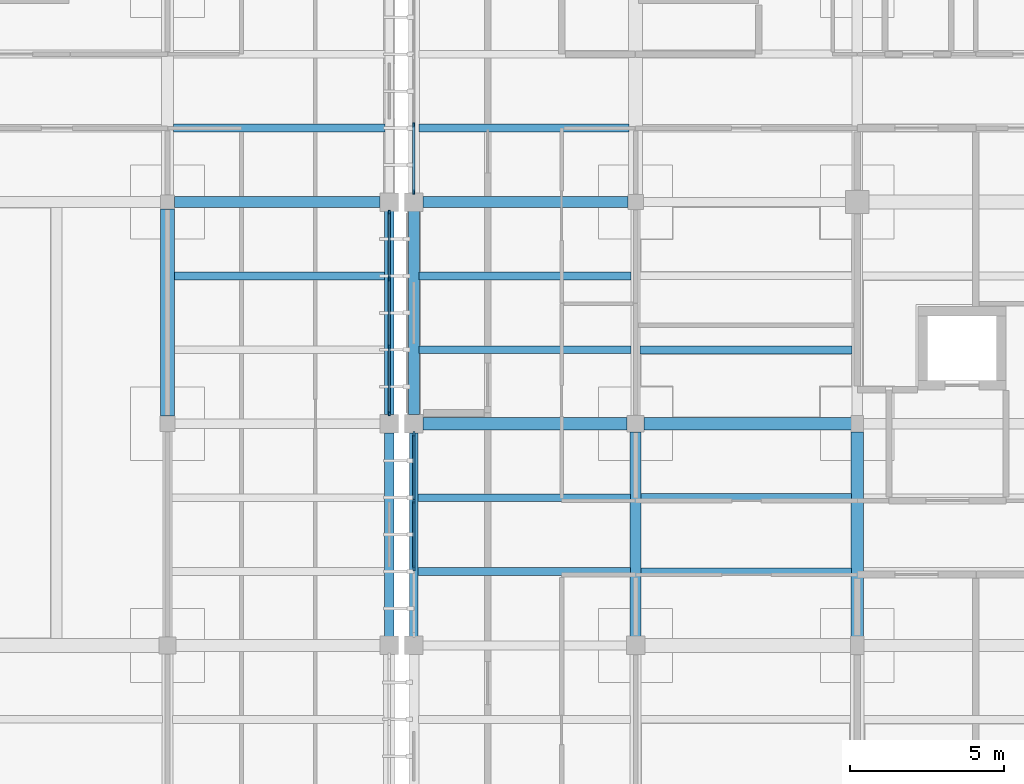
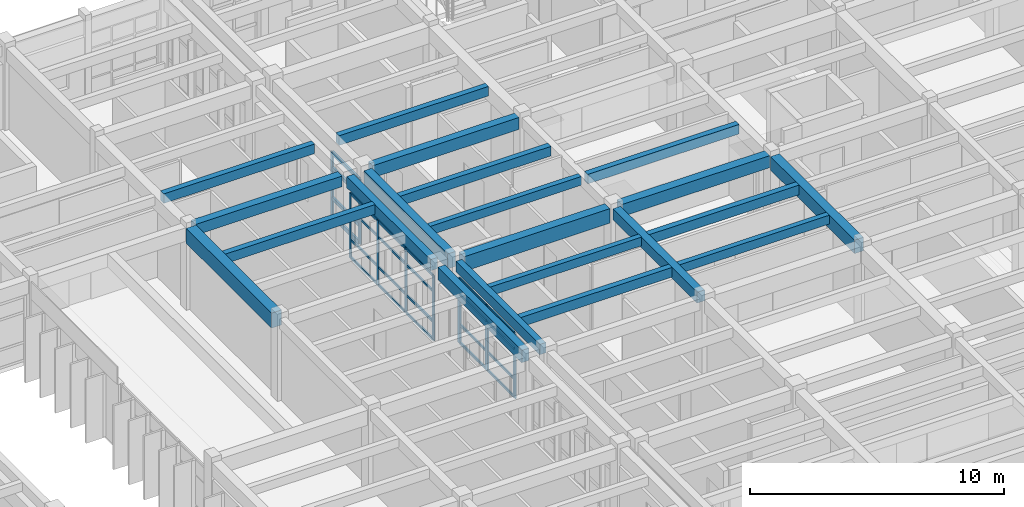
# One storey, part 32 of 100: 33 members, 21 beams, 3 elements without a shape of their own.
"""IFC4 building model written with IfcOpenShell, lengths in metres."""

from ifc_helpers import new_model, si_unit, direction, frame, origin, origin_2d, place, context, subcontext, project, spatial, rectangle, extrude, material, material_profile, profile_set, type_object, element, aggregate, save


model = new_model("IFC4")

# Units and contexts
model_context = context("Model", 3, precision=1e-05, world=origin(), true_north=direction((0.0, 1.0)))
body_context = subcontext(model_context, "Body", "Model", "MODEL_VIEW")
ifc_project = project(units=[si_unit("LENGTHUNIT", "METRE"), si_unit("AREAUNIT", "SQUARE_METRE"), si_unit("VOLUMEUNIT", "CUBIC_METRE"), si_unit("PLANEANGLEUNIT", "RADIAN"), si_unit("MASSUNIT", "GRAM", prefix="KILO")], contexts=[model_context])

# Site, building, storey
site_placement = place(None, origin())
site = spatial("IfcSite", under=ifc_project, at=site_placement, CompositionType="ELEMENT")
building_placement = place(site_placement, origin())
building = spatial("IfcBuilding", under=site, at=building_placement, Name="Steenspoor Specialist Clinic", CompositionType="ELEMENT")
storey_placement = place(building_placement, frame((0.0, 0.0, 9.0)))
storey = spatial("IfcBuildingStorey", under=building, at=storey_placement, Name="L02", CompositionType="ELEMENT", Elevation=9.0)

# Beams
ifc_material_1 = material(Name="Concrete C35/45", Category="concrete")
ifc_material_profile_1 = material_profile(ifc_material_1, rectangle(XDim=0.35009765625, YDim=0.52001953125, at=origin_2d()), Name="RC-BM-350X520")
ifc_profile_set_1 = profile_set([ifc_material_profile_1], Name="Concrete C35/45")
beam_type_1 = type_object("IfcBeamType", Name="BM-RC-350X520", PredefinedType="BEAM", material=ifc_profile_set_1)
beam_1_placement = place(storey_placement, frame((110.219970703125, 93.949951171875, 3.68994140625), z_axis=(1.0, 0.0, 0.0), x_axis=(0.0, 1.0, 0.0)))
element("IfcBeam", 1, at=beam_1_placement, inside=storey, type_object=beam_type_1, Name="BM-V4-L02-X0669", PredefinedType="BEAM", context=body_context, shape_type="SweptSolid", body=[
    extrude(rectangle(XDim=0.35009765625, YDim=0.52001953125, at=origin_2d()), origin(), (0.0, 0.0, 1.0), 6.68505859375),
])
beam_2_placement = place(storey_placement, frame((125.199951171875, 79.844970703125, 3.68994140625), z_axis=(0.0, 1.0, 0.0), x_axis=(-1.0, 0.0, 0.0)))
element("IfcBeam", 2, at=beam_2_placement, inside=storey, type_object=beam_type_1, Name="BM-V6-L02-Y1635", PredefinedType="BEAM", context=body_context, shape_type="SweptSolid", body=[
    extrude(rectangle(XDim=0.35009765625, YDim=0.52001953125, at=origin_2d()), origin(), (0.0, 0.0, 1.0), 6.635009765625),
])
ifc_material_profile_2 = material_profile(ifc_material_1, rectangle(XDim=0.35009765625, YDim=0.580078125, at=origin_2d()), Name="RC-BM-350X580")
ifc_profile_set_2 = profile_set([ifc_material_profile_2], Name="Concrete C35/45")
beam_type_2 = type_object("IfcBeamType", Name="BM-RC-350X580", PredefinedType="BEAM", material=ifc_profile_set_2)
beam_3_placement = place(storey_placement, frame((118.294921875, 93.949951171875, 3.659912109375), z_axis=(1.0, 0.0, 0.0), x_axis=(0.0, 1.0, 0.0)))
element("IfcBeam", 3, at=beam_3_placement, inside=storey, type_object=beam_type_2, Name="BM-V6-L02-X1616", PredefinedType="BEAM", context=body_context, shape_type="SweptSolid", body=[
    extrude(rectangle(XDim=0.35009765625, YDim=0.580078125, at=origin_2d()), origin(), (0.0, 0.0, 1.0), 6.66015625),
])
ifc_material_profile_3 = material_profile(ifc_material_1, rectangle(XDim=0.39990234375, YDim=0.580078125, at=origin_2d()), Name="RC-BM-400X580")
ifc_profile_set_3 = profile_set([ifc_material_profile_3], Name="Concrete C35/45")
beam_type_3 = type_object("IfcBeamType", Name="BM-RC-400X580", PredefinedType="BEAM", material=ifc_profile_set_3)
beam_4_placement = place(storey_placement, frame((125.469970703125, 86.75, 3.659912109375), z_axis=(1.0, 0.0, 0.0), x_axis=(0.0, 1.0, 0.0)))
element("IfcBeam", 4, at=beam_4_placement, inside=storey, type_object=beam_type_3, Name="BM-V6-L02-X1613", PredefinedType="BEAM", context=body_context, shape_type="SweptSolid", body=[
    extrude(rectangle(XDim=0.39990234375, YDim=0.580078125, at=origin_2d()), origin(), (0.0, 0.0, 1.0), 6.735107421875),
])
ifc_material_profile_4 = material_profile(ifc_material_1, rectangle(XDim=0.39990234375, YDim=0.64990234375, at=origin_2d()), Name="RC-BM-400X650")
ifc_profile_set_4 = profile_set([ifc_material_profile_4], Name="Concrete C35/45")
beam_type_4 = type_object("IfcBeamType", Name="BM-RC-400X650", PredefinedType="BEAM", material=ifc_profile_set_4)
beam_5_placement = place(storey_placement, frame((132.39990234375, 79.844970703125, 3.625), z_axis=(0.0, 1.0, 0.0), x_axis=(-1.0, 0.0, 0.0)))
element("IfcBeam", 5, at=beam_5_placement, inside=storey, type_object=beam_type_4, Name="BM-V6-L02-Y1641", PredefinedType="BEAM", context=body_context, shape_type="SweptSolid", body=[
    extrude(rectangle(XDim=0.39990234375, YDim=0.64990234375, at=origin_2d()), origin(), (0.0, 0.0, 1.0), 6.635009765625),
])
ifc_material_profile_5 = material_profile(ifc_material_1, rectangle(XDim=0.39990234375, YDim=0.699951171875, at=origin_2d()), Name="RC-BM-400X700")
ifc_profile_set_5 = profile_set([ifc_material_profile_5], Name="Concrete C35/45")
beam_type_5 = type_object("IfcBeamType", Name="BM-RC-400X700", PredefinedType="BEAM", material=ifc_profile_set_5)
beam_6_placement = place(storey_placement, frame((118.294921875, 86.75, 3.60009765625), z_axis=(1.0, 0.0, 0.0), x_axis=(0.0, 1.0, 0.0)))
element("IfcBeam", 6, at=beam_6_placement, inside=storey, type_object=beam_type_5, Name="BM-V6-L02-X1612", PredefinedType="BEAM", context=body_context, shape_type="SweptSolid", body=[
    extrude(rectangle(XDim=0.39990234375, YDim=0.699951171875, at=origin_2d()), origin(), (0.0, 0.0, 1.0), 6.635009765625),
])
ifc_material_profile_6 = material_profile(ifc_material_1, rectangle(XDim=0.449951171875, YDim=0.719970703125, at=origin_2d()), Name="RC-BM-450X720")
ifc_profile_set_6 = profile_set([ifc_material_profile_6], Name="Concrete C35/45")
beam_type_6 = type_object("IfcBeamType", Name="BM-RC-450X720", PredefinedType="BEAM", material=ifc_profile_set_6)
beam_7_placement = place(storey_placement, frame((110.0, 86.9951171875, 3.590087890625), z_axis=(0.0, 1.0, 0.0), x_axis=(-1.0, 0.0, 0.0)))
element("IfcBeam", 7, at=beam_7_placement, inside=storey, type_object=beam_type_6, Name="BM-V4-L02-Y0728", PredefinedType="BEAM", context=body_context, shape_type="SweptSolid", body=[
    extrude(rectangle(XDim=0.449951171875, YDim=0.719970703125, at=origin_2d()), origin(), (0.0, 0.0, 1.0), 6.73486328125),
])

# Curtain wall, members
ifc_material_2 = material(Name="Thermally broken aluminium and low-emissivity glass", Category="aluminium")
curtain_wall_type_1 = type_object("IfcCurtainWallType", Name="CW-TYP-240X355", PredefinedType="USERDEFINED", material=ifc_material_2)
curtain_wall_1_placement = place(storey_placement, origin())
curtain_wall_1 = element("IfcCurtainWall", 8, at=curtain_wall_1_placement, inside=storey, type_object=curtain_wall_type_1, Name="Unitised Curtain Wall CW-V4-L02-088", ObjectType="UNITISED GLAZING", PredefinedType="USERDEFINED")
ifc_material_3 = material(Name="Thermally broken aluminium 6063-T6", Category="aluminium")
ifc_material_profile_7 = material_profile(ifc_material_3, rectangle(XDim=0.06005859375, YDim=0.135009765625, at=origin_2d()), Name="CWM-60X135")
ifc_profile_set_7 = profile_set([ifc_material_profile_7], Name="Thermally broken aluminium 6063-T6")
member_type_1 = type_object("IfcMemberType", Name="CW-MULL-60X135", PredefinedType="MULLION", material=ifc_profile_set_7)
member_1_placement = place(storey_placement, frame((117.199951171875, 93.6201171875, 0.0), z_axis=(0.0, 0.0, 1.0), x_axis=(1.0, 0.0, 0.0)))
member_1 = element("IfcMember", 9, at=member_1_placement, type_object=member_type_1, Name="CW-16 mullion 1", PredefinedType="MULLION", context=body_context, shape_type="SweptSolid", body=[
    extrude(rectangle(XDim=0.06005859375, YDim=0.135009765625, at=origin_2d()), origin(), (0.0, 0.0, 1.0), 3.1298828125),
])
member_2_placement = place(storey_placement, frame((117.199951171875, 91.449951171875, 0.0), z_axis=(0.0, 0.0, 1.0), x_axis=(1.0, 0.0, 0.0)))
member_2 = element("IfcMember", 10, at=member_2_placement, type_object=member_type_1, Name="CW-16 mullion 2", PredefinedType="MULLION", context=body_context, shape_type="SweptSolid", body=[
    extrude(rectangle(XDim=0.06005859375, YDim=0.135009765625, at=origin_2d()), origin(), (0.0, 0.0, 1.0), 3.1298828125),
])
member_3_placement = place(storey_placement, frame((117.199951171875, 89.25, 0.0), z_axis=(0.0, 0.0, 1.0), x_axis=(1.0, 0.0, 0.0)))
member_3 = element("IfcMember", 11, at=member_3_placement, type_object=member_type_1, Name="CW-16 mullion 3", PredefinedType="MULLION", context=body_context, shape_type="SweptSolid", body=[
    extrude(rectangle(XDim=0.06005859375, YDim=0.135009765625, at=origin_2d()), origin(), (0.0, 0.0, 1.0), 3.1298828125),
])
member_4_placement = place(storey_placement, frame((117.199951171875, 87.080078125, 0.0), z_axis=(0.0, 0.0, 1.0), x_axis=(1.0, 0.0, 0.0)))
member_4 = element("IfcMember", 12, at=member_4_placement, type_object=member_type_1, Name="CW-16 mullion 4", PredefinedType="MULLION", context=body_context, shape_type="SweptSolid", body=[
    extrude(rectangle(XDim=0.06005859375, YDim=0.135009765625, at=origin_2d()), origin(), (0.0, 0.0, 1.0), 3.1298828125),
])

curtain_wall_type_2 = type_object("IfcCurtainWallType", Name="CW-WLK-520X340", PredefinedType="USERDEFINED", material=ifc_material_2)
curtain_wall_2_placement = place(storey_placement, origin())
curtain_wall_2 = element("IfcCurtainWall", 13, at=curtain_wall_2_placement, inside=storey, type_object=curtain_wall_type_2, Name="Unitised Curtain Wall CW-V6-L02-189", ObjectType="UNITISED GLAZING", PredefinedType="USERDEFINED")
ifc_material_profile_8 = material_profile(ifc_material_3, rectangle(XDim=0.06494140625, YDim=0.14990234375, at=origin_2d()), Name="CWM-65X150")
ifc_profile_set_8 = profile_set([ifc_material_profile_8], Name="Thermally broken aluminium 6063-T6")
member_type_2 = type_object("IfcMemberType", Name="CW-MULL-65X150", PredefinedType="MULLION", material=ifc_profile_set_8)
member_5_placement = place(storey_placement, frame((118.0, 94.282470703125, 0.0), z_axis=(0.0, 0.0, 1.0), x_axis=(-1.0, 0.0, 0.0)))
member_5 = element("IfcMember", 14, at=member_5_placement, type_object=member_type_2, Name="CW-21 mullion 1", PredefinedType="MULLION", context=body_context, shape_type="SweptSolid", body=[
    extrude(rectangle(XDim=0.06494140625, YDim=0.14990234375, at=origin_2d()), origin(), (0.0, 0.0, 1.0), 3.1298828125),
])
member_6_placement = place(storey_placement, frame((118.0, 96.449951171875, 0.0), z_axis=(0.0, 0.0, 1.0), x_axis=(-1.0, 0.0, 0.0)))
member_6 = element("IfcMember", 15, at=member_6_placement, type_object=member_type_2, Name="CW-21 mullion 2", PredefinedType="MULLION", context=body_context, shape_type="SweptSolid", body=[
    extrude(rectangle(XDim=0.06494140625, YDim=0.14990234375, at=origin_2d()), origin(), (0.0, 0.0, 1.0), 3.1298828125),
])

curtain_wall_type_3 = type_object("IfcCurtainWallType", Name="CW-WLK-640X340", PredefinedType="USERDEFINED", material=ifc_material_2)
curtain_wall_3_placement = place(storey_placement, origin())
curtain_wall_3 = element("IfcCurtainWall", 16, at=curtain_wall_3_placement, inside=storey, type_object=curtain_wall_type_3, Name="Unitised Curtain Wall CW-V6-L02-188", ObjectType="UNITISED GLAZING", PredefinedType="USERDEFINED")
ifc_material_profile_9 = material_profile(ifc_material_3, rectangle(XDim=0.070068359375, YDim=0.1650390625, at=origin_2d()), Name="CWM-70X165")
ifc_profile_set_9 = profile_set([ifc_material_profile_9], Name="Thermally broken aluminium 6063-T6")
member_type_3 = type_object("IfcMemberType", Name="CW-MULL-70X165", PredefinedType="MULLION", material=ifc_profile_set_9)
member_7_placement = place(storey_placement, frame((118.0, 82.050048828125, 0.0), z_axis=(0.0, 0.0, 1.0), x_axis=(-1.0, 0.0, 0.0)))
member_7 = element("IfcMember", 17, at=member_7_placement, type_object=member_type_3, Name="CW-20 mullion 2", PredefinedType="MULLION", context=body_context, shape_type="SweptSolid", body=[
    extrude(rectangle(XDim=0.070068359375, YDim=0.1650390625, at=origin_2d()), origin(), (0.0, 0.0, 1.0), 3.1298828125),
])
member_8_placement = place(storey_placement, frame((118.0, 84.25, 0.0), z_axis=(0.0, 0.0, 1.0), x_axis=(-1.0, 0.0, 0.0)))
member_8 = element("IfcMember", 18, at=member_8_placement, type_object=member_type_3, Name="CW-20 mullion 3", PredefinedType="MULLION", context=body_context, shape_type="SweptSolid", body=[
    extrude(rectangle(XDim=0.070068359375, YDim=0.1650390625, at=origin_2d()), origin(), (0.0, 0.0, 1.0), 3.1298828125),
])
member_9_placement = place(storey_placement, frame((118.0, 86.4150390625, 0.0), z_axis=(0.0, 0.0, 1.0), x_axis=(-1.0, 0.0, 0.0)))
member_9 = element("IfcMember", 19, at=member_9_placement, type_object=member_type_3, Name="CW-20 mullion 4", PredefinedType="MULLION", context=body_context, shape_type="SweptSolid", body=[
    extrude(rectangle(XDim=0.070068359375, YDim=0.1650390625, at=origin_2d()), origin(), (0.0, 0.0, 1.0), 3.1298828125),
])

# Member
ifc_material_profile_10 = material_profile(ifc_material_3, rectangle(XDim=0.06005859375, YDim=0.114990234375, at=origin_2d()), Name="CWT-60X115")
ifc_profile_set_10 = profile_set([ifc_material_profile_10], Name="Thermally broken aluminium 6063-T6")
member_type_4 = type_object("IfcMemberType", Name="CW-TRAN-60X115", PredefinedType="USERDEFINED", material=ifc_profile_set_10)
member_10_placement = place(storey_placement, frame((117.199951171875, 93.590087890625, 0.030029296875), z_axis=(0.0, -1.0, 0.0), x_axis=(1.0, 0.0, 0.0)))
member_10 = element("IfcMember", 20, at=member_10_placement, type_object=member_type_4, Name="CW-16 transom 1.1", ObjectType="TRANSOM", PredefinedType="USERDEFINED", context=body_context, shape_type="SweptSolid", body=[
    extrude(rectangle(XDim=0.06005859375, YDim=0.114990234375, at=origin_2d()), origin(), (0.0, 0.0, 1.0), 2.110107421875),
])

member_11_placement = place(storey_placement, frame((117.199951171875, 93.590087890625, 0.89990234375), z_axis=(0.0, -1.0, 0.0), x_axis=(1.0, 0.0, 0.0)))
member_11 = element("IfcMember", 21, at=member_11_placement, type_object=member_type_4, Name="CW-16 transom 1.2", ObjectType="TRANSOM", PredefinedType="USERDEFINED", context=body_context, shape_type="SweptSolid", body=[
    extrude(rectangle(XDim=0.06005859375, YDim=0.114990234375, at=origin_2d()), origin(), (0.0, 0.0, 1.0), 2.110107421875),
])

member_12_placement = place(storey_placement, frame((117.199951171875, 93.590087890625, 2.35009765625), z_axis=(0.0, -1.0, 0.0), x_axis=(1.0, 0.0, 0.0)))
member_12 = element("IfcMember", 22, at=member_12_placement, type_object=member_type_4, Name="CW-16 transom 1.3", ObjectType="TRANSOM", PredefinedType="USERDEFINED", context=body_context, shape_type="SweptSolid", body=[
    extrude(rectangle(XDim=0.06005859375, YDim=0.114990234375, at=origin_2d()), origin(), (0.0, 0.0, 1.0), 2.110107421875),
])

member_13_placement = place(storey_placement, frame((117.199951171875, 93.590087890625, 3.10009765625), z_axis=(0.0, -1.0, 0.0), x_axis=(1.0, 0.0, 0.0)))
member_13 = element("IfcMember", 23, at=member_13_placement, type_object=member_type_4, Name="CW-16 transom 1.4", ObjectType="TRANSOM", PredefinedType="USERDEFINED", context=body_context, shape_type="SweptSolid", body=[
    extrude(rectangle(XDim=0.06005859375, YDim=0.114990234375, at=origin_2d()), origin(), (0.0, 0.0, 1.0), 2.110107421875),
])

member_14_placement = place(storey_placement, frame((117.199951171875, 91.419921875, 0.030029296875), z_axis=(0.0, -1.0, 0.0), x_axis=(1.0, 0.0, 0.0)))
member_14 = element("IfcMember", 24, at=member_14_placement, type_object=member_type_4, Name="CW-16 transom 2.1", ObjectType="TRANSOM", PredefinedType="USERDEFINED", context=body_context, shape_type="SweptSolid", body=[
    extrude(rectangle(XDim=0.06005859375, YDim=0.114990234375, at=origin_2d()), origin(), (0.0, 0.0, 1.0), 2.139892578125),
])

member_15_placement = place(storey_placement, frame((117.199951171875, 91.419921875, 0.89990234375), z_axis=(0.0, -1.0, 0.0), x_axis=(1.0, 0.0, 0.0)))
member_15 = element("IfcMember", 25, at=member_15_placement, type_object=member_type_4, Name="CW-16 transom 2.2", ObjectType="TRANSOM", PredefinedType="USERDEFINED", context=body_context, shape_type="SweptSolid", body=[
    extrude(rectangle(XDim=0.06005859375, YDim=0.114990234375, at=origin_2d()), origin(), (0.0, 0.0, 1.0), 2.139892578125),
])

member_16_placement = place(storey_placement, frame((117.199951171875, 91.419921875, 2.35009765625), z_axis=(0.0, -1.0, 0.0), x_axis=(1.0, 0.0, 0.0)))
member_16 = element("IfcMember", 26, at=member_16_placement, type_object=member_type_4, Name="CW-16 transom 2.3", ObjectType="TRANSOM", PredefinedType="USERDEFINED", context=body_context, shape_type="SweptSolid", body=[
    extrude(rectangle(XDim=0.06005859375, YDim=0.114990234375, at=origin_2d()), origin(), (0.0, 0.0, 1.0), 2.139892578125),
])

member_17_placement = place(storey_placement, frame((117.199951171875, 91.419921875, 3.10009765625), z_axis=(0.0, -1.0, 0.0), x_axis=(1.0, 0.0, 0.0)))
member_17 = element("IfcMember", 27, at=member_17_placement, type_object=member_type_4, Name="CW-16 transom 2.4", ObjectType="TRANSOM", PredefinedType="USERDEFINED", context=body_context, shape_type="SweptSolid", body=[
    extrude(rectangle(XDim=0.06005859375, YDim=0.114990234375, at=origin_2d()), origin(), (0.0, 0.0, 1.0), 2.139892578125),
])

member_18_placement = place(storey_placement, frame((117.199951171875, 89.219970703125, 0.030029296875), z_axis=(0.0, -1.0, 0.0), x_axis=(1.0, 0.0, 0.0)))
member_18 = element("IfcMember", 28, at=member_18_placement, type_object=member_type_4, Name="CW-16 transom 3.1", ObjectType="TRANSOM", PredefinedType="USERDEFINED", context=body_context, shape_type="SweptSolid", body=[
    extrude(rectangle(XDim=0.06005859375, YDim=0.114990234375, at=origin_2d()), origin(), (0.0, 0.0, 1.0), 2.10986328125),
])

member_19_placement = place(storey_placement, frame((117.199951171875, 89.219970703125, 0.89990234375), z_axis=(0.0, -1.0, 0.0), x_axis=(1.0, 0.0, 0.0)))
member_19 = element("IfcMember", 29, at=member_19_placement, type_object=member_type_4, Name="CW-16 transom 3.2", ObjectType="TRANSOM", PredefinedType="USERDEFINED", context=body_context, shape_type="SweptSolid", body=[
    extrude(rectangle(XDim=0.06005859375, YDim=0.114990234375, at=origin_2d()), origin(), (0.0, 0.0, 1.0), 2.10986328125),
])

member_20_placement = place(storey_placement, frame((117.199951171875, 89.219970703125, 2.35009765625), z_axis=(0.0, -1.0, 0.0), x_axis=(1.0, 0.0, 0.0)))
member_20 = element("IfcMember", 30, at=member_20_placement, type_object=member_type_4, Name="CW-16 transom 3.3", ObjectType="TRANSOM", PredefinedType="USERDEFINED", context=body_context, shape_type="SweptSolid", body=[
    extrude(rectangle(XDim=0.06005859375, YDim=0.114990234375, at=origin_2d()), origin(), (0.0, 0.0, 1.0), 2.10986328125),
])

member_21_placement = place(storey_placement, frame((117.199951171875, 89.219970703125, 3.10009765625), z_axis=(0.0, -1.0, 0.0), x_axis=(1.0, 0.0, 0.0)))
member_21 = element("IfcMember", 31, at=member_21_placement, type_object=member_type_4, Name="CW-16 transom 3.4", ObjectType="TRANSOM", PredefinedType="USERDEFINED", context=body_context, shape_type="SweptSolid", body=[
    extrude(rectangle(XDim=0.06005859375, YDim=0.114990234375, at=origin_2d()), origin(), (0.0, 0.0, 1.0), 2.10986328125),
])

aggregate(curtain_wall_1, [member_1, member_2, member_3, member_4, member_10, member_11, member_12, member_13, member_14, member_15, member_16, member_17, member_18, member_19, member_20, member_21])

member_22_placement = place(storey_placement, frame((118.0, 82.0849609375, 0.030029296875), z_axis=(0.0, 1.0, 0.0), x_axis=(-1.0, 0.0, 0.0)))
member_22 = element("IfcMember", 32, at=member_22_placement, type_object=member_type_4, Name="CW-20 transom 2.1", ObjectType="TRANSOM", PredefinedType="USERDEFINED", context=body_context, shape_type="SweptSolid", body=[
    extrude(rectangle(XDim=0.06005859375, YDim=0.114990234375, at=origin_2d()), origin(), (0.0, 0.0, 1.0), 2.130126953125),
])

member_23_placement = place(storey_placement, frame((118.0, 82.0849609375, 0.89990234375), z_axis=(0.0, 1.0, 0.0), x_axis=(-1.0, 0.0, 0.0)))
member_23 = element("IfcMember", 33, at=member_23_placement, type_object=member_type_4, Name="CW-20 transom 2.2", ObjectType="TRANSOM", PredefinedType="USERDEFINED", context=body_context, shape_type="SweptSolid", body=[
    extrude(rectangle(XDim=0.06005859375, YDim=0.114990234375, at=origin_2d()), origin(), (0.0, 0.0, 1.0), 2.130126953125),
])

member_24_placement = place(storey_placement, frame((118.0, 82.0849609375, 2.35009765625), z_axis=(0.0, 1.0, 0.0), x_axis=(-1.0, 0.0, 0.0)))
member_24 = element("IfcMember", 34, at=member_24_placement, type_object=member_type_4, Name="CW-20 transom 2.3", ObjectType="TRANSOM", PredefinedType="USERDEFINED", context=body_context, shape_type="SweptSolid", body=[
    extrude(rectangle(XDim=0.06005859375, YDim=0.114990234375, at=origin_2d()), origin(), (0.0, 0.0, 1.0), 2.130126953125),
])

member_25_placement = place(storey_placement, frame((118.0, 82.0849609375, 3.10009765625), z_axis=(0.0, 1.0, 0.0), x_axis=(-1.0, 0.0, 0.0)))
member_25 = element("IfcMember", 35, at=member_25_placement, type_object=member_type_4, Name="CW-20 transom 2.4", ObjectType="TRANSOM", PredefinedType="USERDEFINED", context=body_context, shape_type="SweptSolid", body=[
    extrude(rectangle(XDim=0.06005859375, YDim=0.114990234375, at=origin_2d()), origin(), (0.0, 0.0, 1.0), 2.130126953125),
])

member_26_placement = place(storey_placement, frame((118.0, 84.284912109375, 0.030029296875), z_axis=(0.0, 1.0, 0.0), x_axis=(-1.0, 0.0, 0.0)))
member_26 = element("IfcMember", 36, at=member_26_placement, type_object=member_type_4, Name="CW-20 transom 3.1", ObjectType="TRANSOM", PredefinedType="USERDEFINED", context=body_context, shape_type="SweptSolid", body=[
    extrude(rectangle(XDim=0.06005859375, YDim=0.114990234375, at=origin_2d()), origin(), (0.0, 0.0, 1.0), 2.094970703125),
])

member_27_placement = place(storey_placement, frame((118.0, 84.284912109375, 0.89990234375), z_axis=(0.0, 1.0, 0.0), x_axis=(-1.0, 0.0, 0.0)))
member_27 = element("IfcMember", 37, at=member_27_placement, type_object=member_type_4, Name="CW-20 transom 3.2", ObjectType="TRANSOM", PredefinedType="USERDEFINED", context=body_context, shape_type="SweptSolid", body=[
    extrude(rectangle(XDim=0.06005859375, YDim=0.114990234375, at=origin_2d()), origin(), (0.0, 0.0, 1.0), 2.094970703125),
])

member_28_placement = place(storey_placement, frame((118.0, 84.284912109375, 2.35009765625), z_axis=(0.0, 1.0, 0.0), x_axis=(-1.0, 0.0, 0.0)))
member_28 = element("IfcMember", 38, at=member_28_placement, type_object=member_type_4, Name="CW-20 transom 3.3", ObjectType="TRANSOM", PredefinedType="USERDEFINED", context=body_context, shape_type="SweptSolid", body=[
    extrude(rectangle(XDim=0.06005859375, YDim=0.114990234375, at=origin_2d()), origin(), (0.0, 0.0, 1.0), 2.094970703125),
])

member_29_placement = place(storey_placement, frame((118.0, 84.284912109375, 3.10009765625), z_axis=(0.0, 1.0, 0.0), x_axis=(-1.0, 0.0, 0.0)))
member_29 = element("IfcMember", 39, at=member_29_placement, type_object=member_type_4, Name="CW-20 transom 3.4", ObjectType="TRANSOM", PredefinedType="USERDEFINED", context=body_context, shape_type="SweptSolid", body=[
    extrude(rectangle(XDim=0.06005859375, YDim=0.114990234375, at=origin_2d()), origin(), (0.0, 0.0, 1.0), 2.094970703125),
])

aggregate(curtain_wall_3, [member_7, member_8, member_9, member_22, member_23, member_24, member_25, member_26, member_27, member_28, member_29])

ifc_material_profile_11 = material_profile(ifc_material_3, rectangle(XDim=0.090087890625, YDim=0.175048828125, at=origin_2d()), Name="CWT-90X175")
ifc_profile_set_11 = profile_set([ifc_material_profile_11], Name="Thermally broken aluminium 6063-T6")
member_type_5 = type_object("IfcMemberType", Name="CW-TRAN-90X175", PredefinedType="USERDEFINED", material=ifc_profile_set_11)
member_30_placement = place(storey_placement, frame((118.0, 94.31494140625, 0.044921875), z_axis=(0.0, 1.0, 0.0), x_axis=(-1.0, 0.0, 0.0)))
member_30 = element("IfcMember", 40, at=member_30_placement, type_object=member_type_5, Name="CW-21 transom 1.1", ObjectType="TRANSOM", PredefinedType="USERDEFINED", context=body_context, shape_type="SweptSolid", body=[
    extrude(rectangle(XDim=0.090087890625, YDim=0.175048828125, at=origin_2d()), origin(), (0.0, 0.0, 1.0), 2.1025390625),
])

member_31_placement = place(storey_placement, frame((118.0, 94.31494140625, 0.89990234375), z_axis=(0.0, 1.0, 0.0), x_axis=(-1.0, 0.0, 0.0)))
member_31 = element("IfcMember", 41, at=member_31_placement, type_object=member_type_5, Name="CW-21 transom 1.2", ObjectType="TRANSOM", PredefinedType="USERDEFINED", context=body_context, shape_type="SweptSolid", body=[
    extrude(rectangle(XDim=0.090087890625, YDim=0.175048828125, at=origin_2d()), origin(), (0.0, 0.0, 1.0), 2.1025390625),
])

member_32_placement = place(storey_placement, frame((118.0, 94.31494140625, 2.35009765625), z_axis=(0.0, 1.0, 0.0), x_axis=(-1.0, 0.0, 0.0)))
member_32 = element("IfcMember", 42, at=member_32_placement, type_object=member_type_5, Name="CW-21 transom 1.3", ObjectType="TRANSOM", PredefinedType="USERDEFINED", context=body_context, shape_type="SweptSolid", body=[
    extrude(rectangle(XDim=0.090087890625, YDim=0.175048828125, at=origin_2d()), origin(), (0.0, 0.0, 1.0), 2.1025390625),
])

member_33_placement = place(storey_placement, frame((118.0, 94.31494140625, 3.0849609375), z_axis=(0.0, 1.0, 0.0), x_axis=(-1.0, 0.0, 0.0)))
member_33 = element("IfcMember", 43, at=member_33_placement, type_object=member_type_5, Name="CW-21 transom 1.4", ObjectType="TRANSOM", PredefinedType="USERDEFINED", context=body_context, shape_type="SweptSolid", body=[
    extrude(rectangle(XDim=0.090087890625, YDim=0.175048828125, at=origin_2d()), origin(), (0.0, 0.0, 1.0), 2.1025390625),
])

aggregate(curtain_wall_2, [member_5, member_6, member_30, member_31, member_32, member_33])

# Beams
ifc_material_profile_12 = material_profile(ifc_material_1, rectangle(XDim=0.239990234375, YDim=0.419921875, at=origin_2d()), Name="RC-JT-240X420")
ifc_profile_set_12 = profile_set([ifc_material_profile_12], Name="Concrete C35/45")
beam_type_7 = type_object("IfcBeamType", Name="JT-RC-240X420", PredefinedType="JOIST", material=ifc_profile_set_12)
beam_8_placement = place(storey_placement, frame((118.135009765625, 84.35009765625, 3.739990234375), z_axis=(1.0, 0.0, 0.0), x_axis=(0.0, 1.0, 0.0)))
element("IfcBeam", 44, at=beam_8_placement, inside=storey, type_object=beam_type_7, Name="JT-V6-L02-1662", PredefinedType="JOIST", context=body_context, shape_type="SweptSolid", body=[
    extrude(rectangle(XDim=0.239990234375, YDim=0.419921875, at=origin_2d()), origin(), (0.0, 0.0, 1.0), 6.89501953125),
])
beam_9_placement = place(storey_placement, frame((118.175048828125, 89.14990234375, 3.739990234375), z_axis=(1.0, 0.0, 0.0), x_axis=(0.0, 1.0, 0.0)))
element("IfcBeam", 45, at=beam_9_placement, inside=storey, type_object=beam_type_7, Name="JT-V6-L02-1663", PredefinedType="JOIST", context=body_context, shape_type="SweptSolid", body=[
    extrude(rectangle(XDim=0.239990234375, YDim=0.419921875, at=origin_2d()), origin(), (0.0, 0.0, 1.0), 6.8798828125),
])
beam_10_placement = place(storey_placement, frame((125.3701171875, 81.949951171875, 3.739990234375), z_axis=(1.0, 0.0, 0.0), x_axis=(0.0, 1.0, 0.0)))
element("IfcBeam", 46, at=beam_10_placement, inside=storey, type_object=beam_type_7, Name="JT-V6-L02-1673", PredefinedType="JOIST", context=body_context, shape_type="SweptSolid", body=[
    extrude(rectangle(XDim=0.239990234375, YDim=0.419921875, at=origin_2d()), origin(), (0.0, 0.0, 1.0), 6.8349609375),
])
ifc_material_profile_13 = material_profile(ifc_material_1, rectangle(XDim=0.260009765625, YDim=0.4599609375, at=origin_2d()), Name="RC-JT-260X460")
ifc_profile_set_13 = profile_set([ifc_material_profile_13], Name="Concrete C35/45")
beam_type_8 = type_object("IfcBeamType", Name="JT-RC-260X460", PredefinedType="JOIST", material=ifc_profile_set_13)
beam_11_placement = place(storey_placement, frame((110.219970703125, 91.550048828125, 3.719970703125), z_axis=(1.0, 0.0, 0.0), x_axis=(0.0, 1.0, 0.0)))
element("IfcBeam", 47, at=beam_11_placement, inside=storey, type_object=beam_type_8, Name="JT-V4-L02-0804", PredefinedType="JOIST", context=body_context, shape_type="SweptSolid", body=[
    extrude(rectangle(XDim=0.260009765625, YDim=0.4599609375, at=origin_2d()), origin(), (0.0, 0.0, 1.0), 6.824951171875),
])
beam_12_placement = place(storey_placement, frame((110.195068359375, 96.35009765625, 3.719970703125), z_axis=(1.0, 0.0, 0.0), x_axis=(0.0, 1.0, 0.0)))
element("IfcBeam", 48, at=beam_12_placement, inside=storey, type_object=beam_type_8, Name="JT-V4-L02-0805", PredefinedType="JOIST", context=body_context, shape_type="SweptSolid", body=[
    extrude(rectangle(XDim=0.260009765625, YDim=0.4599609375, at=origin_2d()), origin(), (0.0, 0.0, 1.0), 6.869873046875),
])
beam_13_placement = place(storey_placement, frame((118.135009765625, 81.949951171875, 3.719970703125), z_axis=(1.0, 0.0, 0.0), x_axis=(0.0, 1.0, 0.0)))
element("IfcBeam", 49, at=beam_13_placement, inside=storey, type_object=beam_type_8, Name="JT-V6-L02-1661", PredefinedType="JOIST", context=body_context, shape_type="SweptSolid", body=[
    extrude(rectangle(XDim=0.260009765625, YDim=0.4599609375, at=origin_2d()), origin(), (0.0, 0.0, 1.0), 6.89501953125),
])
beam_14_placement = place(storey_placement, frame((118.175048828125, 91.550048828125, 3.719970703125), z_axis=(1.0, 0.0, 0.0), x_axis=(0.0, 1.0, 0.0)))
element("IfcBeam", 50, at=beam_14_placement, inside=storey, type_object=beam_type_8, Name="JT-V6-L02-1664", PredefinedType="JOIST", context=body_context, shape_type="SweptSolid", body=[
    extrude(rectangle(XDim=0.260009765625, YDim=0.4599609375, at=origin_2d()), origin(), (0.0, 0.0, 1.0), 6.8798828125),
])
beam_15_placement = place(storey_placement, frame((118.175048828125, 96.35009765625, 3.719970703125), z_axis=(1.0, 0.0, 0.0), x_axis=(0.0, 1.0, 0.0)))
element("IfcBeam", 51, at=beam_15_placement, inside=storey, type_object=beam_type_8, Name="JT-V6-L02-1665", PredefinedType="JOIST", context=body_context, shape_type="SweptSolid", body=[
    extrude(rectangle(XDim=0.260009765625, YDim=0.4599609375, at=origin_2d()), origin(), (0.0, 0.0, 1.0), 6.804931640625),
])
beam_16_placement = place(storey_placement, frame((125.3701171875, 84.35009765625, 3.719970703125), z_axis=(1.0, 0.0, 0.0), x_axis=(0.0, 1.0, 0.0)))
element("IfcBeam", 52, at=beam_16_placement, inside=storey, type_object=beam_type_8, Name="JT-V6-L02-1674", PredefinedType="JOIST", context=body_context, shape_type="SweptSolid", body=[
    extrude(rectangle(XDim=0.260009765625, YDim=0.4599609375, at=origin_2d()), origin(), (0.0, 0.0, 1.0), 6.8349609375),
])
beam_17_placement = place(storey_placement, frame((125.344970703125, 89.14990234375, 3.719970703125), z_axis=(1.0, 0.0, 0.0), x_axis=(0.0, 1.0, 0.0)))
element("IfcBeam", 53, at=beam_17_placement, inside=storey, type_object=beam_type_8, Name="JT-V6-L02-1675", PredefinedType="JOIST", context=body_context, shape_type="SweptSolid", body=[
    extrude(rectangle(XDim=0.260009765625, YDim=0.4599609375, at=origin_2d()), origin(), (0.0, 0.0, 1.0), 6.885009765625),
])
ifc_material_profile_14 = material_profile(ifc_material_1, rectangle(XDim=0.280029296875, YDim=0.5, at=origin_2d()), Name="RC-SP-280X500")
ifc_profile_set_14 = profile_set([ifc_material_profile_14], Name="Concrete C35/45")
beam_type_9 = type_object("IfcBeamType", Name="SP-RC-280X500", PredefinedType="SPANDREL", material=ifc_profile_set_14)
beam_18_placement = place(storey_placement, frame((118.0, 79.844970703125, 3.699951171875), z_axis=(0.0, 1.0, 0.0), x_axis=(-1.0, 0.0, 0.0)))
element("IfcBeam", 54, at=beam_18_placement, inside=storey, type_object=beam_type_9, Name="BM-V6-L02-Y1629", PredefinedType="SPANDREL", context=body_context, shape_type="SweptSolid", body=[
    extrude(rectangle(XDim=0.280029296875, YDim=0.5, at=origin_2d()), origin(), (0.0, 0.0, 1.0), 6.610107421875),
])
ifc_material_profile_15 = material_profile(ifc_material_1, rectangle(XDim=0.320068359375, YDim=0.5400390625, at=origin_2d()), Name="RC-SP-320X540")
ifc_profile_set_15 = profile_set([ifc_material_profile_15], Name="Concrete C35/45")
beam_type_10 = type_object("IfcBeamType", Name="SP-RC-320X540", PredefinedType="SPANDREL", material=ifc_profile_set_15)
beam_19_placement = place(storey_placement, frame((117.199951171875, 87.044921875, 3.679931640625), z_axis=(0.0, 1.0, 0.0), x_axis=(-1.0, 0.0, 0.0)))
element("IfcBeam", 55, at=beam_19_placement, inside=storey, type_object=beam_type_10, Name="BM-V4-L02-Y0734", PredefinedType="SPANDREL", context=body_context, shape_type="SweptSolid", body=[
    extrude(rectangle(XDim=0.320068359375, YDim=0.5400390625, at=origin_2d()), origin(), (0.0, 0.0, 1.0), 6.610107421875),
])
ifc_material_profile_16 = material_profile(ifc_material_1, rectangle(XDim=0.320068359375, YDim=0.60009765625, at=origin_2d()), Name="RC-SP-320X600")
ifc_profile_set_16 = profile_set([ifc_material_profile_16], Name="Concrete C35/45")
beam_type_11 = type_object("IfcBeamType", Name="SP-RC-320X600", PredefinedType="SPANDREL", material=ifc_profile_set_16)
beam_20_placement = place(storey_placement, frame((117.199951171875, 79.844970703125, 3.64990234375), z_axis=(0.0, 1.0, 0.0), x_axis=(-1.0, 0.0, 0.0)))
element("IfcBeam", 56, at=beam_20_placement, inside=storey, type_object=beam_type_11, Name="BM-V4-L02-Y0733", PredefinedType="SPANDREL", context=body_context, shape_type="SweptSolid", body=[
    extrude(rectangle(XDim=0.320068359375, YDim=0.60009765625, at=origin_2d()), origin(), (0.0, 0.0, 1.0), 6.610107421875),
])
ifc_material_profile_17 = material_profile(ifc_material_1, rectangle(XDim=0.360107421875, YDim=0.719970703125, at=origin_2d()), Name="RC-SP-360X720")
ifc_profile_set_17 = profile_set([ifc_material_profile_17], Name="Concrete C35/45")
beam_type_12 = type_object("IfcBeamType", Name="SP-RC-360X720", PredefinedType="SPANDREL", material=ifc_profile_set_17)
beam_21_placement = place(storey_placement, frame((118.0, 87.044921875, 3.590087890625), z_axis=(0.0, 1.0, 0.0), x_axis=(-1.0, 0.0, 0.0)))
element("IfcBeam", 57, at=beam_21_placement, inside=storey, type_object=beam_type_12, Name="BM-V6-L02-Y1630", PredefinedType="SPANDREL", context=body_context, shape_type="SweptSolid", body=[
    extrude(rectangle(XDim=0.360107421875, YDim=0.719970703125, at=origin_2d()), origin(), (0.0, 0.0, 1.0), 6.610107421875),
])

save(model, "model.ifc")
